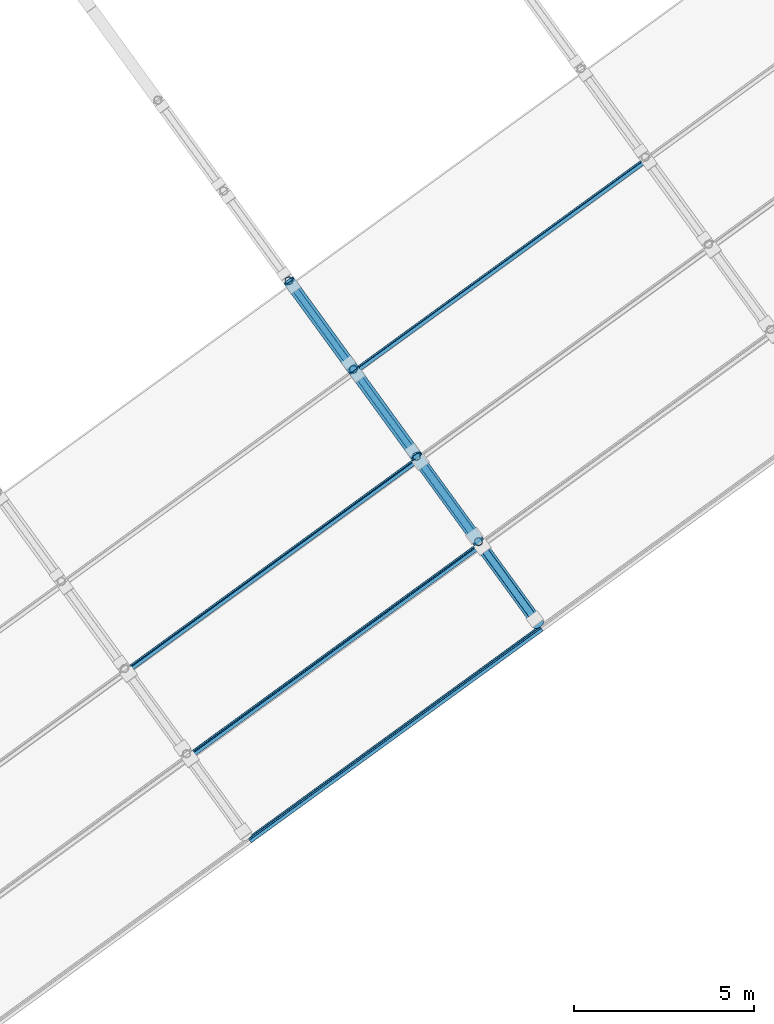
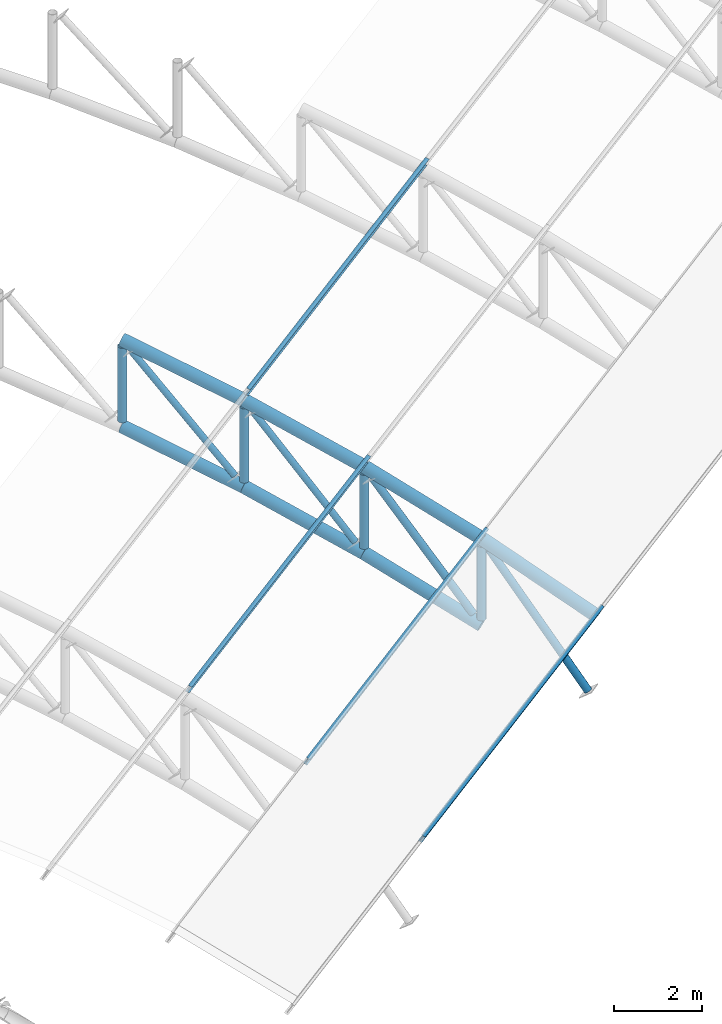
# One storey, part 19 of 69: 15 members, 4 beams.
"""IFC4 building model written with IfcOpenShell, lengths in metres."""

from ifc_helpers import new_model, si_unit, direction, frame, origin, origin_2d, place, context, subcontext, project, spatial, hollow_circle, i_section, extrude, material, material_profile, profile_set, type_object, element, save


model = new_model("IFC4")

# Units and contexts
model_context = context("Model", 3, precision=1e-05, world=origin(), true_north=direction((0.0, 1.0)))
body_context = subcontext(model_context, "Body", "Model", "MODEL_VIEW")
ifc_project = project(units=[si_unit("LENGTHUNIT", "METRE"), si_unit("AREAUNIT", "SQUARE_METRE"), si_unit("VOLUMEUNIT", "CUBIC_METRE"), si_unit("PLANEANGLEUNIT", "RADIAN"), si_unit("MASSUNIT", "GRAM", prefix="KILO")], contexts=[model_context])

# Site, building, storey
site_placement = place(None, origin())
site = spatial("IfcSite", under=ifc_project, at=site_placement, CompositionType="ELEMENT")
building_placement = place(site_placement, origin())
building = spatial("IfcBuilding", under=site, at=building_placement, Name="Okhra Congress Centre", CompositionType="ELEMENT")
storey_placement = place(building_placement, frame((0.0, 0.0, 16.800048828125)))
storey = spatial("IfcBuildingStorey", under=building, at=storey_placement, Name="L03", CompositionType="ELEMENT", Elevation=16.800048828125)

# Members
ifc_material_1 = material(Name="Steel S355J2H", Category="steel")
ifc_material_profile_1 = material_profile(ifc_material_1, hollow_circle(Radius=0.084228515625, WallThickness=0.00634765625, at=origin_2d()), Name="CHS 168.3x6.3")
ifc_profile_set_1 = profile_set([ifc_material_profile_1], Name="Steel S355J2H")
member_type_1 = type_object("IfcMemberType", Name="CHS 168.3x6.3", PredefinedType="BRACE", material=ifc_profile_set_1)
member_1_placement = place(storey_placement, frame((248.938232421875, 180.82080078125, 0.876220703125), z_axis=(-0.388305830606, 0.534492302501, 0.750690722258), x_axis=(-0.809035390265, -0.587759931689, 0.0)))
element("IfcMember", 1, at=member_1_placement, inside=storey, type_object=member_type_1, Name="Truss 4 diagonal 4", PredefinedType="BRACE", context=body_context, shape_type="SweptSolid", body=[
    extrude(hollow_circle(Radius=0.084228515625, WallThickness=0.00634765625, at=origin_2d()), origin(), (0.0, 0.0, 1.0), 3.8427734375),
])
member_2_placement = place(storey_placement, frame((247.177734375, 183.243896484375, 1.861572265625), z_axis=(-0.403566104127, 0.555431833884, 0.727069375994), x_axis=(-0.809002272195, -0.587805515102, 0.0)))
element("IfcMember", 2, at=member_2_placement, inside=storey, type_object=member_type_1, Name="Truss 4 diagonal 5", PredefinedType="BRACE", context=body_context, shape_type="SweptSolid", body=[
    extrude(hollow_circle(Radius=0.084228515625, WallThickness=0.00634765625, at=origin_2d()), origin(), (0.0, 0.0, 1.0), 3.753662109375),
])
ifc_material_profile_2 = material_profile(ifc_material_1, hollow_circle(Radius=0.096923828125, WallThickness=0.010009765625, at=origin_2d()), Name="CHS 193.7x10")
ifc_profile_set_2 = profile_set([ifc_material_profile_2], Name="Steel S355J2H")
member_type_2 = type_object("IfcMemberType", Name="CHS 193.7x10", PredefinedType="BRACE", material=ifc_profile_set_2)
member_3_placement = place(storey_placement, frame((252.342041015625, 176.1357421875, -1.60595703125), z_axis=(-0.356733759557, 0.491066127645, 0.794729565998), x_axis=(-0.809053553672, -0.587734929446, 0.0)))
element("IfcMember", 3, at=member_3_placement, inside=storey, type_object=member_type_2, Name="Truss 4 diagonal 2", PredefinedType="BRACE", context=body_context, shape_type="SweptSolid", body=[
    extrude(hollow_circle(Radius=0.096923828125, WallThickness=0.010009765625, at=origin_2d()), origin(), (0.0, 0.0, 1.0), 4.052978515625),
])
member_4_placement = place(storey_placement, frame((250.66162109375, 178.44873046875, -0.28076171875), z_axis=(-0.3727521496, 0.513012647098, 0.773223033081), x_axis=(-0.808997013889, -0.587812752089, 0.0)))
element("IfcMember", 4, at=member_4_placement, inside=storey, type_object=member_type_2, Name="Truss 4 diagonal 3", PredefinedType="BRACE", context=body_context, shape_type="SweptSolid", body=[
    extrude(hollow_circle(Radius=0.096923828125, WallThickness=0.010009765625, at=origin_2d()), origin(), (0.0, 0.0, 1.0), 3.95458984375),
])
ifc_material_profile_3 = material_profile(ifc_material_1, hollow_circle(Radius=0.109619140625, WallThickness=0.008056640625, at=origin_2d()), Name="CHS 219.1x8")
ifc_profile_set_3 = profile_set([ifc_material_profile_3], Name="Steel S355J2H")
member_type_3 = type_object("IfcMemberType", Name="CHS 219.1x8", PredefinedType="POST", material=ifc_profile_set_3)
member_5_placement = place(storey_placement, frame((250.782470703125, 178.282470703125, -0.353271484375), z_axis=(0.0, 0.0, 1.0), x_axis=(1.0, 0.0, 0.0)))
element("IfcMember", 5, at=member_5_placement, inside=storey, type_object=member_type_3, Name="Truss 4 post 2", PredefinedType="POST", context=body_context, shape_type="SweptSolid", body=[
    extrude(hollow_circle(Radius=0.109619140625, WallThickness=0.008056640625, at=origin_2d()), origin(), (0.0, 0.0, 1.0), 2.043212890625),
])
member_6_placement = place(storey_placement, frame((249.066650390625, 180.64404296875, 0.80224609375), z_axis=(0.0, 0.0, 1.0), x_axis=(1.0, 0.0, 0.0)))
element("IfcMember", 6, at=member_6_placement, inside=storey, type_object=member_type_3, Name="Truss 4 post 3", PredefinedType="POST", context=body_context, shape_type="SweptSolid", body=[
    extrude(hollow_circle(Radius=0.109619140625, WallThickness=0.008056640625, at=origin_2d()), origin(), (0.0, 0.0, 1.0), 2.05126953125),
])
member_7_placement = place(storey_placement, frame((247.31396484375, 183.056396484375, 1.787109375), z_axis=(0.0, 0.0, 1.0), x_axis=(1.0, 0.0, 0.0)))
element("IfcMember", 7, at=member_7_placement, inside=storey, type_object=member_type_3, Name="Truss 4 post 4", PredefinedType="POST", context=body_context, shape_type="SweptSolid", body=[
    extrude(hollow_circle(Radius=0.109619140625, WallThickness=0.008056640625, at=origin_2d()), origin(), (0.0, 0.0, 1.0), 2.057861328125),
])
member_8_placement = place(storey_placement, frame((245.53076171875, 185.510986328125, 2.597412109375), z_axis=(0.0, 0.0, 1.0), x_axis=(1.0, 0.0, 0.0)))
element("IfcMember", 8, at=member_8_placement, inside=storey, type_object=member_type_3, Name="Truss 4 post 5", PredefinedType="POST", context=body_context, shape_type="SweptSolid", body=[
    extrude(hollow_circle(Radius=0.109619140625, WallThickness=0.008056640625, at=origin_2d()), origin(), (0.0, 0.0, 1.0), 2.063232421875),
])
ifc_material_profile_4 = material_profile(ifc_material_1, hollow_circle(Radius=0.161865234375, WallThickness=0.012451171875, at=origin_2d()), Name="CHS 323.9x12.5")
ifc_profile_set_4 = profile_set([ifc_material_profile_4], Name="Steel S355J2H")
member_type_4 = type_object("IfcMemberType", Name="CHS 323.9x12.5", PredefinedType="CHORD", material=ifc_profile_set_4)
for number, where, z_axis, x_axis, name in (
    (9, (252.455810546875, 175.979248046875, 0.540771484375), (-0.532714364208, 0.733240051348, 0.42258068255), (-0.809025240298, -0.587773902586, 0.0), "Truss 4 top chord 2"),
    (10, (250.782470703125, 178.282470703125, -0.53173828125), (-0.546265295886, 0.751853188262, 0.369203209371), (-0.80901086452, -0.587793689222, 0.0), "Truss 4 bottom chord 3"),
    (11, (250.782470703125, 178.282470703125, 1.8681640625), (-0.546249618706, 0.751831610948, 0.369270338428), (-0.80901086452, -0.587793689222, 0.0), "Truss 4 top chord 3"),
):
    element("IfcMember", number, at=place(storey_placement, frame(where, z_axis=z_axis, x_axis=x_axis)), inside=storey, type_object=member_type_4, Name=name, PredefinedType="CHORD", context=body_context, shape_type="SweptSolid", body=[
        extrude(hollow_circle(Radius=0.161865234375, WallThickness=0.012451171875, at=origin_2d()), origin(), (0.0, 0.0, 1.0), 3.14111328125),
    ])
for number, where, z_axis, x_axis, name in (
    (12, (249.066650390625, 180.64404296875, 0.6279296875), (-0.557954547664, 0.767954991708, 0.314534343836), (-0.809015698609, -0.587787035757, 0.0), "Truss 4 bottom chord 4"),
    (13, (249.066650390625, 180.64404296875, 3.028076171875), (-0.557954547664, 0.767954991708, 0.314534343836), (-0.809015698609, -0.587787035757, 0.0), "Truss 4 top chord 4"),
):
    element("IfcMember", number, at=place(storey_placement, frame(where, z_axis=z_axis, x_axis=x_axis)), inside=storey, type_object=member_type_4, Name=name, PredefinedType="CHORD", context=body_context, shape_type="SweptSolid", body=[
        extrude(hollow_circle(Radius=0.161865234375, WallThickness=0.012451171875, at=origin_2d()), origin(), (0.0, 0.0, 1.0), 3.141357421875),
    ])
for number, where, z_axis, x_axis, name in (
    (14, (247.31396484375, 183.056396484375, 1.615966796875), (-0.567721342832, 0.781471848416, 0.258832430398), (-0.809042194464, -0.587750565781, 0.0), "Truss 4 bottom chord 5"),
    (15, (247.31396484375, 183.056396484375, 4.01611328125), (-0.567721342832, 0.781471848416, 0.258832430398), (-0.809042194464, -0.587750565781, 0.0), "Truss 4 top chord 5"),
):
    element("IfcMember", number, at=place(storey_placement, frame(where, z_axis=z_axis, x_axis=x_axis)), inside=storey, type_object=member_type_4, Name=name, PredefinedType="CHORD", context=body_context, shape_type="SweptSolid", body=[
        extrude(hollow_circle(Radius=0.161865234375, WallThickness=0.012451171875, at=origin_2d()), origin(), (0.0, 0.0, 1.0), 3.140869140625),
    ])

# Beams
ifc_material_2 = material(Name="Steel S355J2", Category="steel")
ifc_material_profile_5 = material_profile(ifc_material_2, i_section(OverallWidth=0.10009765625, OverallDepth=0.199951171875, WebThickness=0.005615234375, FlangeThickness=0.008544921875, FilletRadius=0.011962890625, at=origin_2d()), Name="IPE 200")
ifc_profile_set_5 = profile_set([ifc_material_profile_5], Name="Steel S355J2")
beam_type = type_object("IfcBeamType", Name="IPE 200", PredefinedType="BEAM", material=ifc_profile_set_5)
for number, where, z_axis, x_axis, name in (
    (16, (244.43408203125, 170.00732421875, 0.772216796875), (0.809010490052, 0.58779420462, 0.0), (-0.52527208704, 0.722958180273, 0.448799180206), "Purlin 2.9"),
    (17, (242.752685546875, 172.321533203125, 2.10595703125), (0.809010490052, 0.58779420462, 0.0), (-0.539722106215, 0.742846462603, 0.396079766034), "Purlin 3.15"),
    (18, (241.028564453125, 174.694580078125, 3.271240234375), (0.809010490052, 0.58779420462, 0.0), (-0.552345876622, 0.760221187641, 0.342020143326), "Purlin 4.21"),
):
    element("IfcBeam", number, at=place(storey_placement, frame(where, z_axis=z_axis, x_axis=x_axis)), inside=storey, type_object=beam_type, Name=name, PredefinedType="BEAM", context=body_context, shape_type="SweptSolid", body=[
        extrude(i_section(OverallWidth=0.10009765625, OverallDepth=0.199951171875, WebThickness=0.005615234375, FlangeThickness=0.008544921875, FilletRadius=0.011962890625, at=origin_2d()), origin(), (0.0, 0.0, 1.0), 10.0),
    ])
beam_placement = place(storey_placement, frame((247.357666015625, 182.996337890625, 4.26416015625), z_axis=(0.809022099746, 0.587778225288, 0.0), x_axis=(-0.563085375393, 0.775034686786, 0.286803232717)))
element("IfcBeam", 19, at=beam_placement, inside=storey, type_object=beam_type, Name="Purlin 5.28", PredefinedType="BEAM", context=body_context, shape_type="SweptSolid", body=[
    extrude(i_section(OverallWidth=0.10009765625, OverallDepth=0.199951171875, WebThickness=0.005615234375, FlangeThickness=0.008544921875, FilletRadius=0.011962890625, at=origin_2d()), origin(), (0.0, 0.0, 1.0), 9.999755859375),
])

save(model, "model.ifc")
